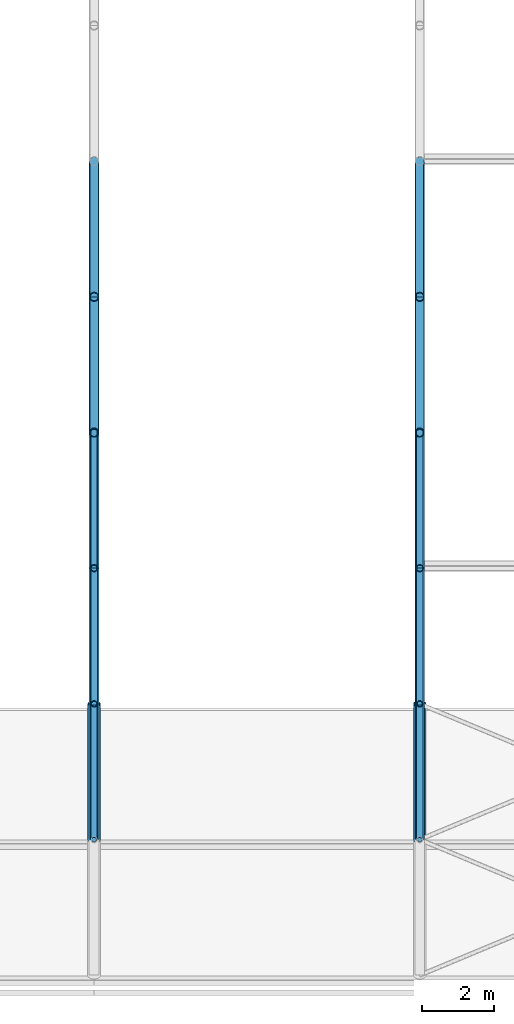
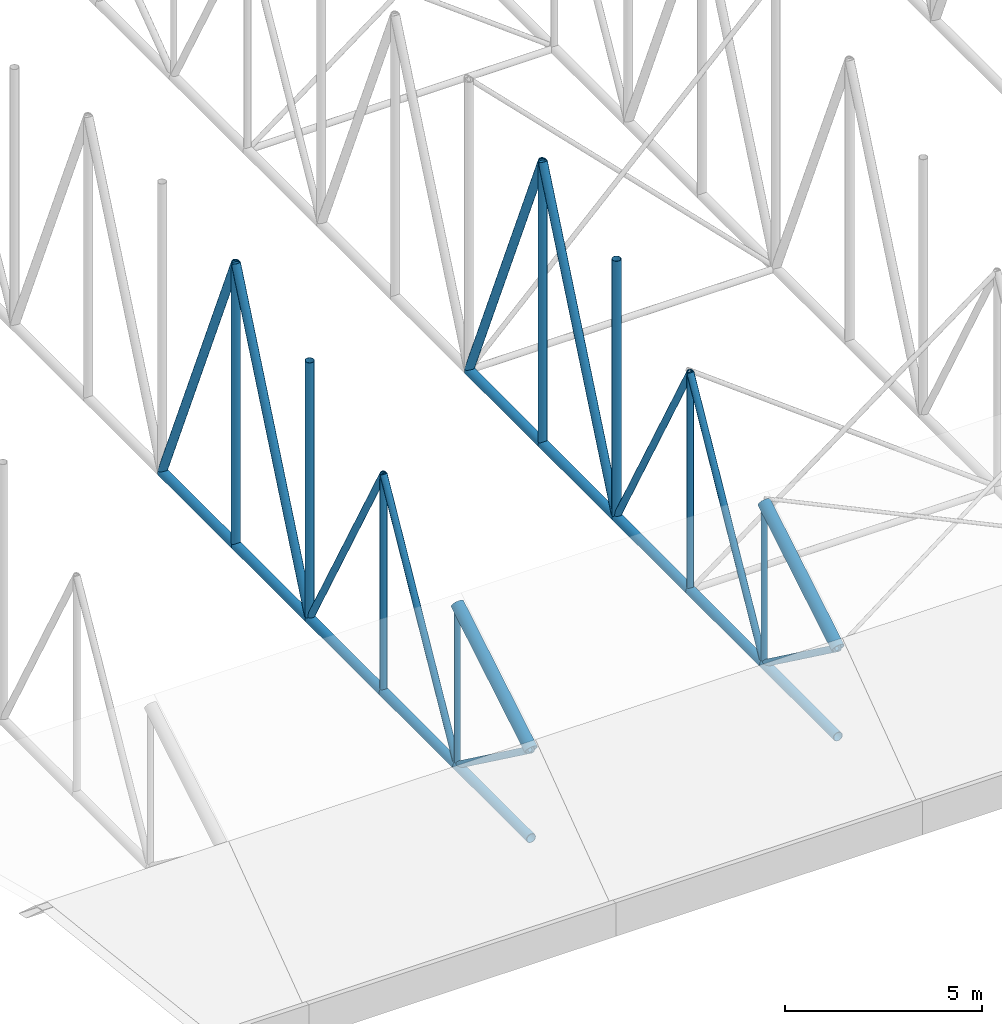
# One storey, part 52 of 153: 30 members.
"""IFC4 building model written with IfcOpenShell, lengths in metres."""

from ifc_helpers import new_model, si_unit, direction, frame, origin, origin_2d, place, context, subcontext, project, spatial, hollow_circle, extrude, material, material_profile, profile_set, type_object, element, save


model = new_model("IFC4")

# Units and contexts
model_context = context("Model", 3, precision=1e-05, world=origin(), true_north=direction((0.0, 1.0)))
body_context = subcontext(model_context, "Body", "Model", "MODEL_VIEW")
ifc_project = project(units=[si_unit("LENGTHUNIT", "METRE"), si_unit("AREAUNIT", "SQUARE_METRE"), si_unit("VOLUMEUNIT", "CUBIC_METRE"), si_unit("PLANEANGLEUNIT", "RADIAN"), si_unit("MASSUNIT", "GRAM", prefix="KILO")], contexts=[model_context])

# Site, building, storey
site_placement = place(None, origin())
site = spatial("IfcSite", under=ifc_project, at=site_placement, CompositionType="ELEMENT")
building_placement = place(site_placement, origin())
building = spatial("IfcBuilding", under=site, at=building_placement, Name="Baradari Gate Terminus", CompositionType="ELEMENT")
storey_placement = place(building_placement, frame((0.0, 0.0, 11.699951171875)))
storey = spatial("IfcBuildingStorey", under=building, at=storey_placement, Name="L02", CompositionType="ELEMENT", Elevation=11.699951171875)

# Members
ifc_material_1 = material(Name="Steel S355", Category="steel")
ifc_material_profile_1 = material_profile(ifc_material_1, hollow_circle(Radius=0.136474609375, WallThickness=0.012451171875, at=origin_2d()), Name="CHS 273x12.5")
ifc_profile_set_1 = profile_set([ifc_material_profile_1], Name="Steel S355")
member_type_1 = type_object("IfcMemberType", Name="Shed bottom chord CHS 273x12.5", PredefinedType="CHORD", material=ifc_profile_set_1)
for number, where, z_axis, x_axis, name in (
    (1, (171.0, 39.75, 0.136474609375), (0.0, 1.0, 0.0), (-1.0, 0.0, 0.0), "TR/L02/S171-BC01"),
    (2, (171.0, 43.5, 0.136474609375), (0.0, 1.0, 0.0), (-1.0, 0.0, 0.0), "TR/L02/S171-BC02"),
    (3, (171.0, 47.25, 0.136474609375), (0.0, 1.0, 0.0), (-1.0, 0.0, 0.0), "TR/L02/S171-BC03"),
    (4, (171.0, 51.0, 0.136474609375), (0.0, 1.0, 0.0), (-1.0, 0.0, 0.0), "TR/L02/S171-BC04"),
    (5, (171.0, 54.75, 0.136474609375), (0.0, 1.0, 0.0), (-1.0, 0.0, 0.0), "TR/L02/S171-BC05"),
    (6, (180.0, 39.75, 0.136474609375), (0.0, 1.0, 0.0), (-1.0, 0.0, 0.0), "TR/L02/S180-BC01"),
    (7, (180.0, 43.5, 0.136474609375), (0.0, 1.0, 0.0), (-1.0, 0.0, 0.0), "TR/L02/S180-BC02"),
    (8, (180.0, 47.25, 0.136474609375), (0.0, 1.0, 0.0), (-1.0, 0.0, 0.0), "TR/L02/S180-BC03"),
    (9, (180.0, 51.0, 0.136474609375), (0.0, 1.0, 0.0), (-1.0, 0.0, 0.0), "TR/L02/S180-BC04"),
    (10, (180.0, 54.75, 0.136474609375), (0.0, 1.0, 0.0), (-1.0, 0.0, 0.0), "TR/L02/S180-BC05"),
):
    element("IfcMember", number, at=place(storey_placement, frame(where, z_axis=z_axis, x_axis=x_axis)), inside=storey, type_object=member_type_1, Name=name, PredefinedType="CHORD", context=body_context, shape_type="SweptSolid", body=[
        extrude(hollow_circle(Radius=0.136474609375, WallThickness=0.012451171875, at=origin_2d()), origin(), (0.0, 0.0, 1.0), 3.75),
    ])
ifc_material_2 = material(Name="Steel S355", Category="steel")
ifc_material_profile_2 = material_profile(ifc_material_2, hollow_circle(Radius=0.177734375, WallThickness=0.01611328125, at=origin_2d()), Name="CHS 355.6x16")
ifc_profile_set_2 = profile_set([ifc_material_profile_2], Name="Steel S355")
member_type_2 = type_object("IfcMemberType", Name="Shed top chord CHS 355.6x16", PredefinedType="CHORD", material=ifc_profile_set_2)
for number, where, z_axis, x_axis, name in (
    (11, (171.0, 39.75, 2.886474609375), (0.0, 0.857492925713, 0.514495755428), (-1.0, 0.0, 0.0), "TR/L02/S171-TC01"),
    (12, (180.0, 39.75, 2.886474609375), (0.0, 0.857492925713, 0.514495755428), (-1.0, 0.0, 0.0), "TR/L02/S180-TC01"),
):
    element("IfcMember", number, at=place(storey_placement, frame(where, z_axis=z_axis, x_axis=x_axis)), inside=storey, type_object=member_type_2, Name=name, PredefinedType="CHORD", context=body_context, shape_type="SweptSolid", body=[
        extrude(hollow_circle(Radius=0.177734375, WallThickness=0.01611328125, at=origin_2d()), origin(), (0.0, 0.0, 1.0), 4.373291015625),
    ])
ifc_material_3 = material(Name="Steel S355", Category="steel")
ifc_material_profile_3 = material_profile(ifc_material_3, hollow_circle(Radius=0.096923828125, WallThickness=0.008056640625, at=origin_2d()), Name="CHS 193.7x8")
ifc_profile_set_3 = profile_set([ifc_material_profile_3], Name="Steel S355")
member_type_3 = type_object("IfcMemberType", Name="Shed truss diagonal CHS 193.7x8", PredefinedType="BRACE", material=ifc_profile_set_3)
member_1_placement = place(storey_placement, frame((171.0, 39.75, 2.886474609375), z_axis=(0.0, 0.806404995856, -0.591363663628), x_axis=(-1.0, 0.0, 0.0)))
element("IfcMember", 13, at=member_1_placement, inside=storey, type_object=member_type_3, Name="TR/L02/S171-SD01", PredefinedType="BRACE", context=body_context, shape_type="SweptSolid", body=[
    extrude(hollow_circle(Radius=0.096923828125, WallThickness=0.008056640625, at=origin_2d()), origin(), (0.0, 0.0, 1.0), 4.650390625),
])
for number, where, z_axis, x_axis, name in (
    (14, (171.0, 47.25, 6.886474609375), (0.0, -0.485642931179, -0.874157276122), (1.0, 0.0, 0.0), "TR/L02/S171-SD02"),
    (15, (171.0, 47.25, 6.886474609375), (0.0, 0.485642931179, -0.874157276122), (-1.0, 0.0, 0.0), "TR/L02/S171-SD03"),
):
    element("IfcMember", number, at=place(storey_placement, frame(where, z_axis=z_axis, x_axis=x_axis)), inside=storey, type_object=member_type_3, Name=name, PredefinedType="BRACE", context=body_context, shape_type="SweptSolid", body=[
        extrude(hollow_circle(Radius=0.096923828125, WallThickness=0.008056640625, at=origin_2d()), origin(), (0.0, 0.0, 1.0), 7.7216796875),
    ])
member_2_placement = place(storey_placement, frame((180.0, 39.75, 2.886474609375), z_axis=(0.0, 0.806404995856, -0.591363663628), x_axis=(-1.0, 0.0, 0.0)))
element("IfcMember", 16, at=member_2_placement, inside=storey, type_object=member_type_3, Name="TR/L02/S180-SD01", PredefinedType="BRACE", context=body_context, shape_type="SweptSolid", body=[
    extrude(hollow_circle(Radius=0.096923828125, WallThickness=0.008056640625, at=origin_2d()), origin(), (0.0, 0.0, 1.0), 4.650390625),
])
for number, where, z_axis, x_axis, name in (
    (17, (180.0, 47.25, 6.886474609375), (0.0, -0.485642931179, -0.874157276122), (1.0, 0.0, 0.0), "TR/L02/S180-SD02"),
    (18, (180.0, 47.25, 6.886474609375), (0.0, 0.485642931179, -0.874157276122), (-1.0, 0.0, 0.0), "TR/L02/S180-SD03"),
):
    element("IfcMember", number, at=place(storey_placement, frame(where, z_axis=z_axis, x_axis=x_axis)), inside=storey, type_object=member_type_3, Name=name, PredefinedType="BRACE", context=body_context, shape_type="SweptSolid", body=[
        extrude(hollow_circle(Radius=0.096923828125, WallThickness=0.008056640625, at=origin_2d()), origin(), (0.0, 0.0, 1.0), 7.7216796875),
    ])
ifc_material_4 = material(Name="Steel S355", Category="steel")
ifc_material_profile_4 = material_profile(ifc_material_4, hollow_circle(Radius=0.122314453125, WallThickness=0.010009765625, at=origin_2d()), Name="CHS 244.5x10")
ifc_profile_set_4 = profile_set([ifc_material_profile_4], Name="Steel S355")
member_type_4 = type_object("IfcMemberType", Name="Shed truss diagonal CHS 244.5x10", PredefinedType="BRACE", material=ifc_profile_set_4)
for number, where, z_axis, x_axis, name in (
    (19, (171.0, 54.75, 8.886474609375), (0.0, -0.393919298579, -0.919145030018), (1.0, 0.0, 0.0), "TR/L02/S171-SD04"),
    (20, (171.0, 54.75, 8.886474609375), (0.0, 0.393919298579, -0.919145030018), (-1.0, 0.0, 0.0), "TR/L02/S171-SD05"),
    (21, (180.0, 54.75, 8.886474609375), (0.0, -0.393919298579, -0.919145030018), (1.0, 0.0, 0.0), "TR/L02/S180-SD04"),
    (22, (180.0, 54.75, 8.886474609375), (0.0, 0.393919298579, -0.919145030018), (-1.0, 0.0, 0.0), "TR/L02/S180-SD05"),
):
    element("IfcMember", number, at=place(storey_placement, frame(where, z_axis=z_axis, x_axis=x_axis)), inside=storey, type_object=member_type_4, Name=name, PredefinedType="BRACE", context=body_context, shape_type="SweptSolid", body=[
        extrude(hollow_circle(Radius=0.122314453125, WallThickness=0.010009765625, at=origin_2d()), origin(), (0.0, 0.0, 1.0), 9.519775390625),
    ])
ifc_material_5 = material(Name="Steel S355", Category="steel")
ifc_material_profile_5 = material_profile(ifc_material_5, hollow_circle(Radius=0.084228515625, WallThickness=0.008056640625, at=origin_2d()), Name="CHS 168.3x8")
ifc_profile_set_5 = profile_set([ifc_material_profile_5], Name="Steel S355")
member_type_5 = type_object("IfcMemberType", Name="Shed truss post CHS 168.3x8", PredefinedType="POST", material=ifc_profile_set_5)
for number, where, z_axis, x_axis, name in (
    (23, (171.0, 43.5, 0.136474609375), (0.0, 0.0, 1.0), (1.0, 0.0, 0.0), "TR/L02/S171-SP02"),
    (24, (180.0, 43.5, 0.136474609375), (0.0, 0.0, 1.0), (1.0, 0.0, 0.0), "TR/L02/S180-SP02"),
):
    element("IfcMember", number, at=place(storey_placement, frame(where, z_axis=z_axis, x_axis=x_axis)), inside=storey, type_object=member_type_5, Name=name, PredefinedType="POST", context=body_context, shape_type="SweptSolid", body=[
        extrude(hollow_circle(Radius=0.084228515625, WallThickness=0.008056640625, at=origin_2d()), origin(), (0.0, 0.0, 1.0), 5.0),
    ])
ifc_material_6 = material(Name="Steel S355", Category="steel")
ifc_material_profile_6 = material_profile(ifc_material_6, hollow_circle(Radius=0.096923828125, WallThickness=0.008056640625, at=origin_2d()), Name="CHS 193.7x8")
ifc_profile_set_6 = profile_set([ifc_material_profile_6], Name="Steel S355")
member_type_6 = type_object("IfcMemberType", Name="Shed truss post CHS 193.7x8", PredefinedType="POST", material=ifc_profile_set_6)
for number, where, z_axis, x_axis, name in (
    (25, (171.0, 47.25, 0.136474609375), (0.0, 0.0, 1.0), (1.0, 0.0, 0.0), "TR/L02/S171-SP03"),
    (26, (180.0, 47.25, 0.136474609375), (0.0, 0.0, 1.0), (1.0, 0.0, 0.0), "TR/L02/S180-SP03"),
):
    element("IfcMember", number, at=place(storey_placement, frame(where, z_axis=z_axis, x_axis=x_axis)), inside=storey, type_object=member_type_6, Name=name, PredefinedType="POST", context=body_context, shape_type="SweptSolid", body=[
        extrude(hollow_circle(Radius=0.096923828125, WallThickness=0.008056640625, at=origin_2d()), origin(), (0.0, 0.0, 1.0), 6.75),
    ])
ifc_material_7 = material(Name="Steel S355", Category="steel")
ifc_material_profile_7 = material_profile(ifc_material_7, hollow_circle(Radius=0.122314453125, WallThickness=0.010009765625, at=origin_2d()), Name="CHS 244.5x10")
ifc_profile_set_7 = profile_set([ifc_material_profile_7], Name="Steel S355")
member_type_7 = type_object("IfcMemberType", Name="Shed truss post CHS 244.5x10", PredefinedType="POST", material=ifc_profile_set_7)
member_3_placement = place(storey_placement, frame((171.0, 51.0, 0.136474609375), z_axis=(0.0, 0.0, 1.0), x_axis=(1.0, 0.0, 0.0)))
element("IfcMember", 27, at=member_3_placement, inside=storey, type_object=member_type_7, Name="TR/L02/S171-SP04", PredefinedType="POST", context=body_context, shape_type="SweptSolid", body=[
    extrude(hollow_circle(Radius=0.122314453125, WallThickness=0.010009765625, at=origin_2d()), origin(), (0.0, 0.0, 1.0), 8.0),
])
member_4_placement = place(storey_placement, frame((171.0, 54.75, 0.136474609375), z_axis=(0.0, 0.0, 1.0), x_axis=(1.0, 0.0, 0.0)))
element("IfcMember", 28, at=member_4_placement, inside=storey, type_object=member_type_7, Name="TR/L02/S171-SP05", PredefinedType="POST", context=body_context, shape_type="SweptSolid", body=[
    extrude(hollow_circle(Radius=0.122314453125, WallThickness=0.010009765625, at=origin_2d()), origin(), (0.0, 0.0, 1.0), 8.75),
])
member_5_placement = place(storey_placement, frame((180.0, 51.0, 0.136474609375), z_axis=(0.0, 0.0, 1.0), x_axis=(1.0, 0.0, 0.0)))
element("IfcMember", 29, at=member_5_placement, inside=storey, type_object=member_type_7, Name="TR/L02/S180-SP04", PredefinedType="POST", context=body_context, shape_type="SweptSolid", body=[
    extrude(hollow_circle(Radius=0.122314453125, WallThickness=0.010009765625, at=origin_2d()), origin(), (0.0, 0.0, 1.0), 8.0),
])
member_6_placement = place(storey_placement, frame((180.0, 54.75, 0.136474609375), z_axis=(0.0, 0.0, 1.0), x_axis=(1.0, 0.0, 0.0)))
element("IfcMember", 30, at=member_6_placement, inside=storey, type_object=member_type_7, Name="TR/L02/S180-SP05", PredefinedType="POST", context=body_context, shape_type="SweptSolid", body=[
    extrude(hollow_circle(Radius=0.122314453125, WallThickness=0.010009765625, at=origin_2d()), origin(), (0.0, 0.0, 1.0), 8.75),
])

save(model, "model.ifc")
